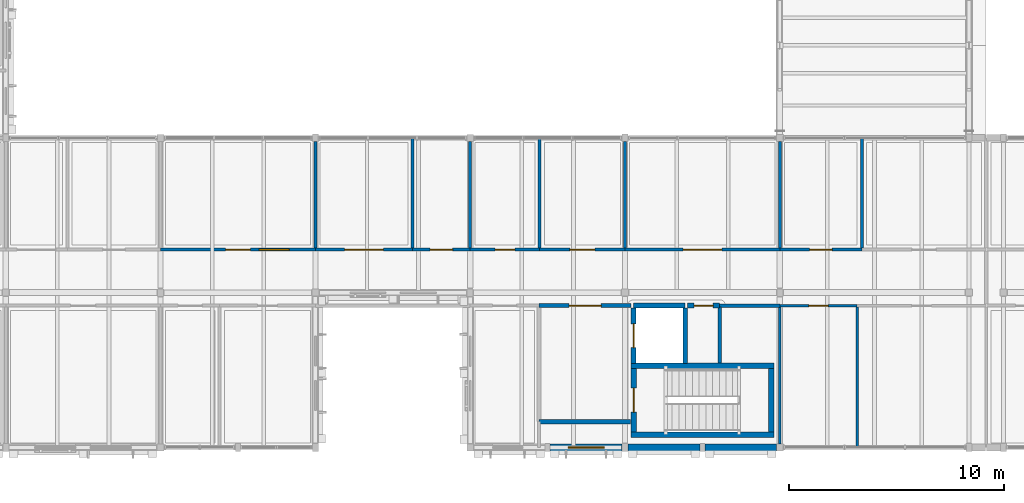
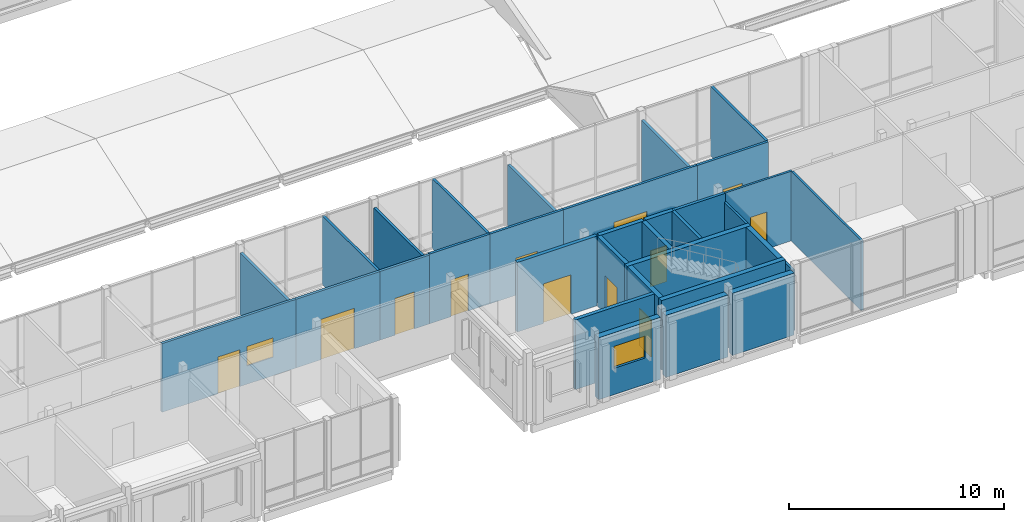
# One storey, part 84 of 115: 32 walls, 12 doors, 2 windows, 14 openings.
"""IFC4 building model written with IfcOpenShell, lengths in metres."""

from ifc_helpers import new_model, si_unit, direction, frame, frame_2d, origin, place, context, subcontext, project, spatial, rectangle, extrude, material, layer, layer_set, type_object, element, fill, save


model = new_model("IFC4")

# Units and contexts
model_context = context("Model", 3, precision=1e-05, world=origin(), true_north=direction((0.0, 1.0)))
body_context = subcontext(model_context, "Body", "Model", "MODEL_VIEW")
ifc_project = project(units=[si_unit("LENGTHUNIT", "METRE"), si_unit("AREAUNIT", "SQUARE_METRE"), si_unit("VOLUMEUNIT", "CUBIC_METRE"), si_unit("PLANEANGLEUNIT", "RADIAN"), si_unit("MASSUNIT", "GRAM", prefix="KILO")], contexts=[model_context])

# Site, building, storey
site_placement = place(None, origin())
site = spatial("IfcSite", under=ifc_project, at=site_placement, CompositionType="ELEMENT")
building_placement = place(site_placement, origin())
building = spatial("IfcBuilding", under=site, at=building_placement, Name="Hawrajan Terrace Health Centre", CompositionType="ELEMENT")
storey_placement = place(building_placement, frame((0.0, 0.0, 9.0)))
storey = spatial("IfcBuildingStorey", under=building, at=storey_placement, Name="L02", CompositionType="ELEMENT", Elevation=9.0)

# Wall, opening, window
ifc_material_1 = material(Name="Precast concrete C40/50", Category="concrete")
ifc_layer_1 = layer(ifc_material_1, 0.31005859375)
ifc_layer_set_1 = layer_set([ifc_layer_1], Name="Precast concrete C40/50")
wall_type_1 = type_object("IfcWallType", Name="ArtDecoFacadeWall_310", PredefinedType="SOLIDWALL", material=ifc_layer_set_1)
wall_1_placement = place(storey_placement, frame((51.52001953125, 4.199951171875, 0.0), z_axis=(0.0, 0.0, 1.0), x_axis=(1.0, 0.0, 0.0)))
wall_1 = element("IfcWall", 1, at=wall_1_placement, inside=storey, type_object=wall_type_1, Name="Exterior wall EW-L02-H06-00-2", PredefinedType="SOLIDWALL", context=body_context, shape_type="SweptSolid", body=[
    extrude(rectangle(XDim=3.340087890625, YDim=0.31005859375, at=frame_2d((1.669921875, 0.0))), origin(), (0.0, 0.0, 1.0), 3.530029296875),
])
opening_1_placement = place(wall_1_placement, frame((0.830078125, 0.0, 1.5)))
opening_1 = element("IfcOpeningElement", 2, at=opening_1_placement, cuts=wall_1, Name="Opening W-L02-146", PredefinedType="OPENING", context=body_context, shape_type="SweptSolid", body=[
    extrude(rectangle(XDim=1.679931640625, YDim=1.25, at=frame_2d((0.83984375, 0.625))), frame((0.0, 0.1650390625, 0.0), z_axis=(0.0, -1.0, 0.0), x_axis=(1.0, 0.0, 0.0)), (0.0, 0.0, 1.0), 0.330078125),
])
ifc_material_2 = material(Name="Anodized bronze frame with double low-E glazing", Category="glass")
window_type_1 = type_object("IfcWindowType", Name="FacadeWindow_1680x1250", PartitioningType="DOUBLE_PANEL_VERTICAL", PredefinedType="WINDOW", material=ifc_material_2)
window_1_placement = place(opening_1_placement, origin())
window_1 = element("IfcWindow", 3, at=window_1_placement, inside=storey, type_object=window_type_1, Name="Window W-L02-146", OverallHeight=1.25, OverallWidth=1.679931640625, PartitioningType="DOUBLE_PANEL_VERTICAL", PredefinedType="WINDOW", context=body_context, shape_type="SweptSolid", body=[
    extrude(rectangle(XDim=1.679931640625, YDim=1.25, at=frame_2d((0.83984375, 0.625))), frame((0.0, 0.030029296875, 0.0), z_axis=(0.0, -1.0, 0.0), x_axis=(1.0, 0.0, 0.0)), (0.0, 0.0, 1.0), 0.06005859375),
])
fill(opening_1, window_1)

# Walls
wall_2_placement = place(storey_placement, frame((55.139892578125, 4.199951171875, 0.0), z_axis=(0.0, 0.0, 1.0), x_axis=(1.0, 0.0, 0.0)))
element("IfcWall", 4, at=wall_2_placement, inside=storey, type_object=wall_type_1, Name="Exterior wall EW-L02-H07-00-1", PredefinedType="SOLIDWALL", context=body_context, shape_type="SweptSolid", body=[
    extrude(rectangle(XDim=3.340087890625, YDim=0.31005859375, at=frame_2d((1.669921875, 0.0))), origin(), (0.0, 0.0, 1.0), 3.530029296875),
])
wall_3_placement = place(storey_placement, frame((58.719970703125, 4.199951171875, 0.0), z_axis=(0.0, 0.0, 1.0), x_axis=(1.0, 0.0, 0.0)))
element("IfcWall", 5, at=wall_3_placement, inside=storey, type_object=wall_type_1, Name="Exterior wall EW-L02-H07-00-2", PredefinedType="SOLIDWALL", context=body_context, shape_type="SweptSolid", body=[
    extrude(rectangle(XDim=3.320068359375, YDim=0.31005859375, at=frame_2d((1.66015625, 0.0))), origin(), (0.0, 0.0, 1.0), 3.530029296875),
])

# Wall, openings, door, window
ifc_material_3 = material(Name="Gypsum board on acoustic stud framing")
ifc_layer_2 = layer(ifc_material_3, 0.139892578125)
ifc_layer_set_2 = layer_set([ifc_layer_2], Name="Gypsum board on acoustic stud framing")
wall_type_2 = type_object("IfcWallType", Name="ClinicalAcousticWall_140", PredefinedType="PARTITIONING", material=ifc_layer_set_2)
wall_4_placement = place(storey_placement, frame((33.39990234375, 13.39990234375, 0.0), z_axis=(0.0, 0.0, 1.0), x_axis=(1.0, 0.0, 0.0)))
wall_4 = element("IfcWall", 6, at=wall_4_placement, inside=storey, type_object=wall_type_2, Name="Interior wall IW-L02-1067", PredefinedType="PARTITIONING", context=body_context, shape_type="SweptSolid", body=[
    extrude(rectangle(XDim=7.2001953125, YDim=0.139892578125, at=frame_2d((3.60009765625, 0.0))), origin(), (0.0, 0.0, 1.0), 3.909912109375),
])
opening_2_placement = place(wall_4_placement, frame((3.02001953125, 0.0, 0.0)))
opening_2 = element("IfcOpeningElement", 7, at=opening_2_placement, cuts=wall_4, Name="Opening D-L02-542", PredefinedType="OPENING", context=body_context, shape_type="SweptSolid", body=[
    extrude(rectangle(XDim=1.159912109375, YDim=2.10009765625, at=frame_2d((0.580078125, 1.050048828125))), frame((0.0, 0.079833984375, 0.0), z_axis=(0.0, -1.0, 0.0), x_axis=(1.0, 0.0, 0.0)), (0.0, 0.0, 1.0), 0.159912109375),
])
opening_3_placement = place(wall_4_placement, frame((4.580078125, 0.0, 1.050048828125)))
opening_3 = element("IfcOpeningElement", 8, at=opening_3_placement, cuts=wall_4, Name="Opening W-L02-I08", PredefinedType="OPENING", context=body_context, shape_type="SweptSolid", body=[
    extrude(rectangle(XDim=1.39990234375, YDim=1.10009765625, at=frame_2d((0.699951171875, 0.550048828125))), frame((0.0, 0.079833984375, 0.0), z_axis=(0.0, -1.0, 0.0), x_axis=(1.0, 0.0, 0.0)), (0.0, 0.0, 1.0), 0.159912109375),
])
ifc_material_4 = material(Name="Hardwood acoustic clinical door leaf and frame", Category="wood")
door_type_1 = type_object("IfcDoorType", Name="ConsultDoor_1160x2100", OperationType="NOTDEFINED", PredefinedType="DOOR", material=ifc_material_4)
door_1_placement = place(opening_2_placement, origin())
door_1 = element("IfcDoor", 9, at=door_1_placement, inside=storey, type_object=door_type_1, Name="Interior door D-L02-542", OperationType="SINGLE_SWING_RIGHT", OverallHeight=2.10009765625, OverallWidth=1.159912109375, PredefinedType="DOOR", context=body_context, shape_type="SweptSolid", body=[
    extrude(rectangle(XDim=1.159912109375, YDim=2.10009765625, at=frame_2d((0.580078125, 1.050048828125))), frame((0.0, 0.02490234375, 0.0), z_axis=(0.0, -1.0, 0.0), x_axis=(1.0, 0.0, 0.0)), (0.0, 0.0, 1.0), 0.050048828125),
])
fill(opening_2, door_1)
ifc_material_5 = material(Name="Lead-lined and acoustic internal observation glazing", Category="glass")
window_type_2 = type_object("IfcWindowType", Name="InternalObsWindow_1400x1100", PartitioningType="SINGLE_PANEL", PredefinedType="WINDOW", material=ifc_material_5)
window_2_placement = place(opening_3_placement, origin())
window_2 = element("IfcWindow", 10, at=window_2_placement, inside=storey, type_object=window_type_2, Name="Observation window W-L02-I08", OverallHeight=1.10009765625, OverallWidth=1.39990234375, PartitioningType="SINGLE_PANEL", PredefinedType="WINDOW", context=body_context, shape_type="SweptSolid", body=[
    extrude(rectangle(XDim=1.39990234375, YDim=1.10009765625, at=frame_2d((0.699951171875, 0.550048828125))), frame((0.0, 0.030029296875, 0.0), z_axis=(0.0, -1.0, 0.0), x_axis=(1.0, 0.0, 0.0)), (0.0, 0.0, 1.0), 0.06005859375),
])
fill(opening_3, window_2)

# Wall
wall_5_placement = place(storey_placement, frame((40.60009765625, 13.469970703125, 0.0), z_axis=(0.0, 0.0, 1.0), x_axis=(0.0, 1.0, 0.0)))
element("IfcWall", 11, at=wall_5_placement, inside=storey, type_object=wall_type_2, Name="Interior wall IW-L02-1076", PredefinedType="PARTITIONING", context=body_context, shape_type="SweptSolid", body=[
    extrude(rectangle(XDim=4.949951171875, YDim=0.139892578125, at=frame_2d((2.47509765625, 0.0))), origin(), (0.0, 0.0, 1.0), 3.489990234375),
])

# Wall, opening, door
wall_6_placement = place(storey_placement, frame((40.60009765625, 13.39990234375, 0.0), z_axis=(0.0, 0.0, 1.0), x_axis=(1.0, 0.0, 0.0)))
wall_6 = element("IfcWall", 12, at=wall_6_placement, inside=storey, type_object=wall_type_2, Name="Interior wall IW-L02-1077", PredefinedType="PARTITIONING", context=body_context, shape_type="SweptSolid", body=[
    extrude(rectangle(XDim=4.52197265625, YDim=0.139892578125, at=frame_2d((2.260986328125, 0.0))), origin(), (0.0, 0.0, 1.0), 3.909912109375),
])
opening_4_placement = place(wall_6_placement, frame((1.361083984375, 0.0, 0.0)))
opening_4 = element("IfcOpeningElement", 13, at=opening_4_placement, cuts=wall_6, Name="Opening D-L02-543", PredefinedType="OPENING", context=body_context, shape_type="SweptSolid", body=[
    extrude(rectangle(XDim=1.800048828125, YDim=2.300048828125, at=frame_2d((0.89990234375, 1.14990234375))), frame((0.0, 0.079833984375, 0.0), z_axis=(0.0, -1.0, 0.0), x_axis=(1.0, 0.0, 0.0)), (0.0, 0.0, 1.0), 0.159912109375),
])
door_type_2 = type_object("IfcDoorType", Name="EducationHallDoor_1800x2300", OperationType="DOUBLE_DOOR_SINGLE_SWING", PredefinedType="DOOR", material=ifc_material_4)
door_2_placement = place(opening_4_placement, origin())
door_2 = element("IfcDoor", 14, at=door_2_placement, inside=storey, type_object=door_type_2, Name="Interior door D-L02-543", OperationType="DOUBLE_DOOR_SINGLE_SWING", OverallHeight=2.300048828125, OverallWidth=1.800048828125, PredefinedType="DOOR", context=body_context, shape_type="SweptSolid", body=[
    extrude(rectangle(XDim=1.800048828125, YDim=2.300048828125, at=frame_2d((0.89990234375, 1.14990234375))), frame((0.0, 0.02490234375, 0.0), z_axis=(0.0, -1.0, 0.0), x_axis=(1.0, 0.0, 0.0)), (0.0, 0.0, 1.0), 0.050048828125),
])
fill(opening_4, door_2)

# Wall
wall_7_placement = place(storey_placement, frame((45.1220703125, 13.469970703125, 0.0), z_axis=(0.0, 0.0, 1.0), x_axis=(0.0, 1.0, 0.0)))
element("IfcWall", 15, at=wall_7_placement, inside=storey, type_object=wall_type_2, Name="Interior wall IW-L02-1086", PredefinedType="PARTITIONING", context=body_context, shape_type="SweptSolid", body=[
    extrude(rectangle(XDim=5.130126953125, YDim=0.139892578125, at=frame_2d((2.56494140625, 0.0))), origin(), (0.0, 0.0, 1.0), 3.909912109375),
])

# Wall, opening, door
wall_8_placement = place(storey_placement, frame((45.1220703125, 13.39990234375, 0.0), z_axis=(0.0, 0.0, 1.0), x_axis=(1.0, 0.0, 0.0)))
wall_8 = element("IfcWall", 16, at=wall_8_placement, inside=storey, type_object=wall_type_2, Name="Interior wall IW-L02-1087", PredefinedType="PARTITIONING", context=body_context, shape_type="SweptSolid", body=[
    extrude(rectangle(XDim=2.677978515625, YDim=0.139892578125, at=frame_2d((1.3388671875, 0.0))), origin(), (0.0, 0.0, 1.0), 3.909912109375),
])
opening_5_placement = place(wall_8_placement, frame((0.819091796875, 0.0, 0.0)))
opening_5 = element("IfcOpeningElement", 17, at=opening_5_placement, cuts=wall_8, Name="Opening D-L02-544", PredefinedType="OPENING", context=body_context, shape_type="SweptSolid", body=[
    extrude(rectangle(XDim=1.0400390625, YDim=2.10009765625, at=frame_2d((0.52001953125, 1.050048828125))), frame((0.0, 0.079833984375, 0.0), z_axis=(0.0, -1.0, 0.0), x_axis=(1.0, 0.0, 0.0)), (0.0, 0.0, 1.0), 0.159912109375),
])
door_type_3 = type_object("IfcDoorType", Name="ConsultDoor_1040x2100", OperationType="NOTDEFINED", PredefinedType="DOOR", material=ifc_material_4)
door_3_placement = place(opening_5_placement, origin())
door_3 = element("IfcDoor", 18, at=door_3_placement, inside=storey, type_object=door_type_3, Name="Interior door D-L02-544", OperationType="SINGLE_SWING_RIGHT", OverallHeight=2.10009765625, OverallWidth=1.0400390625, PredefinedType="DOOR", context=body_context, shape_type="SweptSolid", body=[
    extrude(rectangle(XDim=1.0400390625, YDim=2.10009765625, at=frame_2d((0.52001953125, 1.050048828125))), frame((0.0, 0.02490234375, 0.0), z_axis=(0.0, -1.0, 0.0), x_axis=(1.0, 0.0, 0.0)), (0.0, 0.0, 1.0), 0.050048828125),
])
fill(opening_5, door_3)

# Wall
wall_9_placement = place(storey_placement, frame((47.800048828125, 13.469970703125, 0.0), z_axis=(0.0, 0.0, 1.0), x_axis=(0.0, 1.0, 0.0)))
element("IfcWall", 19, at=wall_9_placement, inside=storey, type_object=wall_type_2, Name="Interior wall IW-L02-1089", PredefinedType="PARTITIONING", context=body_context, shape_type="SweptSolid", body=[
    extrude(rectangle(XDim=4.969970703125, YDim=0.139892578125, at=frame_2d((2.48486328125, 0.0))), origin(), (0.0, 0.0, 1.0), 3.52001953125),
])

# Wall, opening, door
wall_10_placement = place(storey_placement, frame((47.800048828125, 13.39990234375, 0.0), z_axis=(0.0, 0.0, 1.0), x_axis=(1.0, 0.0, 0.0)))
wall_10 = element("IfcWall", 20, at=wall_10_placement, inside=storey, type_object=wall_type_2, Name="Interior wall IW-L02-1090", PredefinedType="PARTITIONING", context=body_context, shape_type="SweptSolid", body=[
    extrude(rectangle(XDim=3.23291015625, YDim=0.139892578125, at=frame_2d((1.616455078125, 0.0))), origin(), (0.0, 0.0, 1.0), 3.9599609375),
])
opening_6_placement = place(wall_10_placement, frame((1.156494140625, 0.0, 0.0)))
opening_6 = element("IfcOpeningElement", 21, at=opening_6_placement, cuts=wall_10, Name="Opening D-L02-506", PredefinedType="OPENING", context=body_context, shape_type="SweptSolid", body=[
    extrude(rectangle(XDim=0.919921875, YDim=2.10009765625, at=frame_2d((0.4599609375, 1.050048828125))), frame((0.0, 0.079833984375, 0.0), z_axis=(0.0, -1.0, 0.0), x_axis=(1.0, 0.0, 0.0)), (0.0, 0.0, 1.0), 0.159912109375),
])
door_type_4 = type_object("IfcDoorType", Name="StaffOfficeDoor_920x2100", OperationType="NOTDEFINED", PredefinedType="DOOR", material=ifc_material_4)
door_4_placement = place(opening_6_placement, origin())
door_4 = element("IfcDoor", 22, at=door_4_placement, inside=storey, type_object=door_type_4, Name="Interior door D-L02-506", OperationType="SINGLE_SWING_RIGHT", OverallHeight=2.10009765625, OverallWidth=0.919921875, PredefinedType="DOOR", context=body_context, shape_type="SweptSolid", body=[
    extrude(rectangle(XDim=0.919921875, YDim=2.10009765625, at=frame_2d((0.4599609375, 1.050048828125))), frame((0.0, 0.02490234375, 0.0), z_axis=(0.0, -1.0, 0.0), x_axis=(1.0, 0.0, 0.0)), (0.0, 0.0, 1.0), 0.050048828125),
])
fill(opening_6, door_4)

# Wall
wall_11_placement = place(storey_placement, frame((51.032958984375, 13.469970703125, 0.0), z_axis=(0.0, 0.0, 1.0), x_axis=(0.0, 1.0, 0.0)))
element("IfcWall", 23, at=wall_11_placement, inside=storey, type_object=wall_type_2, Name="Interior wall IW-L02-1096", PredefinedType="PARTITIONING", context=body_context, shape_type="SweptSolid", body=[
    extrude(rectangle(XDim=5.130126953125, YDim=0.139892578125, at=frame_2d((2.56494140625, 0.0))), origin(), (0.0, 0.0, 1.0), 3.9599609375),
])

# Wall, opening, door
wall_12_placement = place(storey_placement, frame((51.032958984375, 13.39990234375, 0.0), z_axis=(0.0, 0.0, 1.0), x_axis=(1.0, 0.0, 0.0)))
wall_12 = element("IfcWall", 24, at=wall_12_placement, inside=storey, type_object=wall_type_2, Name="Interior wall IW-L02-1097", PredefinedType="PARTITIONING", context=body_context, shape_type="SweptSolid", body=[
    extrude(rectangle(XDim=3.967041015625, YDim=0.139892578125, at=frame_2d((1.9833984375, 0.0))), origin(), (0.0, 0.0, 1.0), 3.9599609375),
])
opening_7_placement = place(wall_12_placement, frame((1.403564453125, 0.0, 0.0)))
opening_7 = element("IfcOpeningElement", 25, at=opening_7_placement, cuts=wall_12, Name="Opening D-L02-507", PredefinedType="OPENING", context=body_context, shape_type="SweptSolid", body=[
    extrude(rectangle(XDim=1.159912109375, YDim=2.10009765625, at=frame_2d((0.580078125, 1.050048828125))), frame((0.0, 0.079833984375, 0.0), z_axis=(0.0, -1.0, 0.0), x_axis=(1.0, 0.0, 0.0)), (0.0, 0.0, 1.0), 0.159912109375),
])
door_5_placement = place(opening_7_placement, origin())
door_5 = element("IfcDoor", 26, at=door_5_placement, inside=storey, type_object=door_type_1, Name="Interior door D-L02-507", OperationType="SINGLE_SWING_LEFT", OverallHeight=2.10009765625, OverallWidth=1.159912109375, PredefinedType="DOOR", context=body_context, shape_type="SweptSolid", body=[
    extrude(rectangle(XDim=1.159912109375, YDim=2.10009765625, at=frame_2d((0.580078125, 1.050048828125))), frame((0.0, 0.02490234375, 0.0), z_axis=(0.0, -1.0, 0.0), x_axis=(1.0, 0.0, 0.0)), (0.0, 0.0, 1.0), 0.050048828125),
])
fill(opening_7, door_5)

# Wall
wall_13_placement = place(storey_placement, frame((55.0, 13.469970703125, 0.0), z_axis=(0.0, 0.0, 1.0), x_axis=(0.0, 1.0, 0.0)))
element("IfcWall", 27, at=wall_13_placement, inside=storey, type_object=wall_type_2, Name="Interior wall IW-L02-1098", PredefinedType="PARTITIONING", context=body_context, shape_type="SweptSolid", body=[
    extrude(rectangle(XDim=4.949951171875, YDim=0.139892578125, at=frame_2d((2.47509765625, 0.0))), origin(), (0.0, 0.0, 1.0), 3.469970703125),
])

# Wall, opening, door
wall_14_placement = place(storey_placement, frame((55.0, 13.39990234375, 0.0), z_axis=(0.0, 0.0, 1.0), x_axis=(1.0, 0.0, 0.0)))
wall_14 = element("IfcWall", 28, at=wall_14_placement, inside=storey, type_object=wall_type_2, Name="Interior wall IW-L02-1099", PredefinedType="PARTITIONING", context=body_context, shape_type="SweptSolid", body=[
    extrude(rectangle(XDim=7.199951171875, YDim=0.139892578125, at=frame_2d((3.60009765625, 0.0))), origin(), (0.0, 0.0, 1.0), 3.9599609375),
])
opening_8_placement = place(wall_14_placement, frame((2.699951171875, 0.0, 0.0)))
opening_8 = element("IfcOpeningElement", 29, at=opening_8_placement, cuts=wall_14, Name="Opening D-L02-508", PredefinedType="OPENING", context=body_context, shape_type="SweptSolid", body=[
    extrude(rectangle(XDim=1.800048828125, YDim=2.300048828125, at=frame_2d((0.89990234375, 1.14990234375))), frame((0.0, 0.079833984375, 0.0), z_axis=(0.0, -1.0, 0.0), x_axis=(1.0, 0.0, 0.0)), (0.0, 0.0, 1.0), 0.159912109375),
])
door_6_placement = place(opening_8_placement, origin())
door_6 = element("IfcDoor", 30, at=door_6_placement, inside=storey, type_object=door_type_2, Name="Interior door D-L02-508", OperationType="DOUBLE_DOOR_SINGLE_SWING", OverallHeight=2.300048828125, OverallWidth=1.800048828125, PredefinedType="DOOR", context=body_context, shape_type="SweptSolid", body=[
    extrude(rectangle(XDim=1.800048828125, YDim=2.300048828125, at=frame_2d((0.89990234375, 1.14990234375))), frame((0.0, 0.02490234375, 0.0), z_axis=(0.0, -1.0, 0.0), x_axis=(1.0, 0.0, 0.0)), (0.0, 0.0, 1.0), 0.050048828125),
])
fill(opening_8, door_6)

# Wall
wall_15_placement = place(storey_placement, frame((62.199951171875, 13.469970703125, 0.0), z_axis=(0.0, 0.0, 1.0), x_axis=(0.0, 1.0, 0.0)))
element("IfcWall", 31, at=wall_15_placement, inside=storey, type_object=wall_type_2, Name="Interior wall IW-L02-1109", PredefinedType="PARTITIONING", context=body_context, shape_type="SweptSolid", body=[
    extrude(rectangle(XDim=4.969970703125, YDim=0.139892578125, at=frame_2d((2.48486328125, 0.0))), origin(), (0.0, 0.0, 1.0), 3.469970703125),
])

# Wall, opening, door
wall_16_placement = place(storey_placement, frame((62.199951171875, 13.39990234375, 0.0), z_axis=(0.0, 0.0, 1.0), x_axis=(1.0, 0.0, 0.0)))
wall_16 = element("IfcWall", 32, at=wall_16_placement, inside=storey, type_object=wall_type_2, Name="Interior wall IW-L02-1110", PredefinedType="PARTITIONING", context=body_context, shape_type="SweptSolid", body=[
    extrude(rectangle(XDim=3.819091796875, YDim=0.139892578125, at=frame_2d((1.90966796875, 0.0))), origin(), (0.0, 0.0, 1.0), 3.9599609375),
])
opening_9_placement = place(wall_16_placement, frame((1.389404296875, 0.0, 0.0)))
opening_9 = element("IfcOpeningElement", 33, at=opening_9_placement, cuts=wall_16, Name="Opening D-L02-509", PredefinedType="OPENING", context=body_context, shape_type="SweptSolid", body=[
    extrude(rectangle(XDim=1.0400390625, YDim=2.10009765625, at=frame_2d((0.52001953125, 1.050048828125))), frame((0.0, 0.079833984375, 0.0), z_axis=(0.0, -1.0, 0.0), x_axis=(1.0, 0.0, 0.0)), (0.0, 0.0, 1.0), 0.159912109375),
])
door_7_placement = place(opening_9_placement, origin())
door_7 = element("IfcDoor", 34, at=door_7_placement, inside=storey, type_object=door_type_3, Name="Interior door D-L02-509", OperationType="SINGLE_SWING_LEFT", OverallHeight=2.10009765625, OverallWidth=1.0400390625, PredefinedType="DOOR", context=body_context, shape_type="SweptSolid", body=[
    extrude(rectangle(XDim=1.0400390625, YDim=2.10009765625, at=frame_2d((0.52001953125, 1.050048828125))), frame((0.0, 0.02490234375, 0.0), z_axis=(0.0, -1.0, 0.0), x_axis=(1.0, 0.0, 0.0)), (0.0, 0.0, 1.0), 0.050048828125),
])
fill(opening_9, door_7)

# Walls
wall_17_placement = place(storey_placement, frame((66.01904296875, 13.469970703125, 0.0), z_axis=(0.0, 0.0, 1.0), x_axis=(0.0, 1.0, 0.0)))
element("IfcWall", 35, at=wall_17_placement, inside=storey, type_object=wall_type_2, Name="Interior wall IW-L02-1119", PredefinedType="PARTITIONING", context=body_context, shape_type="SweptSolid", body=[
    extrude(rectangle(XDim=5.130126953125, YDim=0.139892578125, at=frame_2d((2.56494140625, 0.0))), origin(), (0.0, 0.0, 1.0), 3.9599609375),
])
ifc_material_6 = material(Name="Concrete C40/50", Category="concrete")
ifc_layer_3 = layer(ifc_material_6, 0.260009765625)
ifc_layer_set_3 = layer_set([ifc_layer_3], Name="Concrete C40/50")
wall_type_3 = type_object("IfcWallType", Name="CoreShearWall_RC260", PredefinedType="SHEAR", material=ifc_layer_set_3)
for number, where, z_axis, x_axis, name in (
    (36, (55.27001953125, 4.800048828125, 0.0), (0.0, 0.0, 1.0), (1.0, 0.0, 0.0), "Core shear wall SW-C4-L02-S"),
    (37, (55.27001953125, 8.0, 0.0), (0.0, 0.0, 1.0), (1.0, 0.0, 0.0), "Core shear wall SW-C4-L02-N"),
):
    element("IfcWall", number, at=place(storey_placement, frame(where, z_axis=z_axis, x_axis=x_axis)), inside=storey, type_object=wall_type_3, Name=name, PredefinedType="SHEAR", context=body_context, shape_type="SweptSolid", body=[
        extrude(rectangle(XDim=6.659912109375, YDim=0.260009765625, at=frame_2d((3.330078125, 0.0))), origin(), (0.0, 0.0, 1.0), 3.949951171875),
    ])

# Wall, opening, door
wall_18_placement = place(storey_placement, frame((55.39990234375, 4.929931640625, 0.0), z_axis=(0.0, 0.0, 1.0), x_axis=(0.0, 1.0, 0.0)))
wall_18 = element("IfcWall", 38, at=wall_18_placement, inside=storey, type_object=wall_type_3, Name="Core shear wall SW-C4-L02-W", PredefinedType="SHEAR", context=body_context, shape_type="SweptSolid", body=[
    extrude(rectangle(XDim=2.940185546875, YDim=0.260009765625, at=frame_2d((1.47021484375, 0.0))), origin(), (0.0, 0.0, 1.0), 3.949951171875),
])
opening_10_placement = place(wall_18_placement, frame((0.909912109375, 0.0, 0.0)))
opening_10 = element("IfcOpeningElement", 39, at=opening_10_placement, cuts=wall_18, Name="Opening D-L02-434", PredefinedType="OPENING", context=body_context, shape_type="SweptSolid", body=[
    extrude(rectangle(XDim=1.1201171875, YDim=2.10009765625, at=frame_2d((0.56005859375, 1.050048828125))), frame((0.0, 0.139892578125, 0.0), z_axis=(0.0, -1.0, 0.0), x_axis=(1.0, 0.0, 0.0)), (0.0, 0.0, 1.0), 0.280029296875),
])
ifc_material_7 = material(Name="Timber-veneered acoustic fire-resisting door assembly", Category="wood")
door_type_5 = type_object("IfcDoorType", Name="CoreStairDoor_1120x2100", OperationType="NOTDEFINED", PredefinedType="DOOR", material=ifc_material_7)
door_8_placement = place(opening_10_placement, origin())
door_8 = element("IfcDoor", 40, at=door_8_placement, inside=storey, type_object=door_type_5, Name="Interior door D-L02-434", OperationType="SINGLE_SWING_RIGHT", OverallHeight=2.10009765625, OverallWidth=1.1201171875, PredefinedType="DOOR", context=body_context, shape_type="SweptSolid", body=[
    extrude(rectangle(XDim=1.1201171875, YDim=2.10009765625, at=frame_2d((0.56005859375, 1.050048828125))), frame((0.0, 0.02490234375, 0.0), z_axis=(0.0, -1.0, 0.0), x_axis=(1.0, 0.0, 0.0)), (0.0, 0.0, 1.0), 0.050048828125),
])
fill(opening_10, door_8)

# Walls
wall_19_placement = place(storey_placement, frame((61.800048828125, 4.929931640625, 0.0), z_axis=(0.0, 0.0, 1.0), x_axis=(0.0, 1.0, 0.0)))
element("IfcWall", 41, at=wall_19_placement, inside=storey, type_object=wall_type_3, Name="Core shear wall SW-C4-L02-E", PredefinedType="SHEAR", context=body_context, shape_type="SweptSolid", body=[
    extrude(rectangle(XDim=2.940185546875, YDim=0.260009765625, at=frame_2d((1.47021484375, 0.0))), origin(), (0.0, 0.0, 1.0), 3.949951171875),
])
ifc_layer_4 = layer(ifc_material_3, 0.159912109375)
ifc_layer_set_4 = layer_set([ifc_layer_4], Name="Gypsum board on acoustic stud framing")
wall_type_4 = type_object("IfcWallType", Name="CorridorFireWall_160", PredefinedType="PARTITIONING", material=ifc_layer_set_4)
wall_20_placement = place(storey_placement, frame((59.39990234375, 8.139892578125, 0.0), z_axis=(0.0, 0.0, 1.0), x_axis=(0.0, 1.0, 0.0)))
element("IfcWall", 42, at=wall_20_placement, inside=storey, type_object=wall_type_4, Name="Interior wall IW-L02-1212", PredefinedType="PARTITIONING", context=body_context, shape_type="SweptSolid", body=[
    extrude(rectangle(XDim=2.590087890625, YDim=0.159912109375, at=frame_2d((1.294921875, 0.0))), origin(), (0.0, 0.0, 1.0), 3.9599609375),
])
wall_21_placement = place(storey_placement, frame((59.39990234375, 10.800048828125, 0.0), z_axis=(0.0, 0.0, 1.0), x_axis=(1.0, 0.0, 0.0)))
element("IfcWall", 43, at=wall_21_placement, inside=storey, type_object=wall_type_4, Name="Interior wall IW-L02-1228", PredefinedType="PARTITIONING", context=body_context, shape_type="SweptSolid", body=[
    extrude(rectangle(XDim=2.800048828125, YDim=0.159912109375, at=frame_2d((1.39990234375, 0.0))), origin(), (0.0, 0.0, 1.0), 3.9599609375),
])

# Wall, opening, door
ifc_material_8 = material(Name="Cross-laminated timber CLT C24", Category="wood")
ifc_layer_5 = layer(ifc_material_8, 0.199951171875)
ifc_layer_set_5 = layer_set([ifc_layer_5], Name="Cross-laminated timber CLT C24")
wall_type_5 = type_object("IfcWallType", Name="FireCompartmentWall_200", PredefinedType="PARTITIONING", material=ifc_layer_set_5)
wall_22_placement = place(storey_placement, frame((51.0, 10.800048828125, 0.0), z_axis=(0.0, 0.0, 1.0), x_axis=(1.0, 0.0, 0.0)))
wall_22 = element("IfcWall", 44, at=wall_22_placement, inside=storey, type_object=wall_type_5, Name="Interior wall IW-L02-1095", PredefinedType="PARTITIONING", context=body_context, shape_type="SweptSolid", body=[
    extrude(rectangle(XDim=4.2900390625, YDim=0.199951171875, at=frame_2d((2.14501953125, 0.0))), origin(), (0.0, 0.0, 1.0), 3.9599609375),
])
opening_11_placement = place(wall_22_placement, frame((1.405029296875, 0.0, 0.0)))
opening_11 = element("IfcOpeningElement", 45, at=opening_11_placement, cuts=wall_22, Name="Opening D-L02-441", PredefinedType="OPENING", context=body_context, shape_type="SweptSolid", body=[
    extrude(rectangle(XDim=1.47998046875, YDim=2.25, at=frame_2d((0.739990234375, 1.125))), frame((0.0, 0.10986328125, 0.0), z_axis=(0.0, -1.0, 0.0), x_axis=(1.0, 0.0, 0.0)), (0.0, 0.0, 1.0), 0.219970703125),
])
door_type_6 = type_object("IfcDoorType", Name="FFLobbyDoor_1480x2250", OperationType="DOUBLE_DOOR_SINGLE_SWING", PredefinedType="DOOR", material=ifc_material_7)
door_9_placement = place(opening_11_placement, origin())
door_9 = element("IfcDoor", 46, at=door_9_placement, inside=storey, type_object=door_type_6, Name="Interior door D-L02-441", OperationType="DOUBLE_DOOR_SINGLE_SWING", OverallHeight=2.25, OverallWidth=1.47998046875, PredefinedType="DOOR", context=body_context, shape_type="SweptSolid", body=[
    extrude(rectangle(XDim=1.47998046875, YDim=2.25, at=frame_2d((0.739990234375, 1.125))), frame((0.0, 0.02490234375, 0.0), z_axis=(0.0, -1.0, 0.0), x_axis=(1.0, 0.0, 0.0)), (0.0, 0.0, 1.0), 0.050048828125),
])
fill(opening_11, door_9)

# Walls
wall_23_placement = place(storey_placement, frame((51.0, 5.39990234375, 0.0), z_axis=(0.0, 0.0, 1.0), x_axis=(1.0, 0.0, 0.0)))
element("IfcWall", 47, at=wall_23_placement, inside=storey, type_object=wall_type_5, Name="Interior wall IW-L02-1216", PredefinedType="PARTITIONING", context=body_context, shape_type="SweptSolid", body=[
    extrude(rectangle(XDim=4.260009765625, YDim=0.199951171875, at=frame_2d((2.1298828125, 0.0))), origin(), (0.0, 0.0, 1.0), 3.9599609375),
])
ifc_layer_6 = layer(ifc_material_6, 0.219970703125)
ifc_layer_set_6 = layer_set([ifc_layer_6], Name="Concrete C40/50")
wall_type_6 = type_object("IfcWallType", Name="ShaftWall_RC220", PredefinedType="SOLIDWALL", material=ifc_layer_set_6)
wall_24_placement = place(storey_placement, frame((55.39990234375, 10.800048828125, 0.0), z_axis=(0.0, 0.0, 1.0), x_axis=(1.0, 0.0, 0.0)))
element("IfcWall", 48, at=wall_24_placement, inside=storey, type_object=wall_type_6, Name="Lift shaft wall LW-LC-05-L02-N", PredefinedType="SOLIDWALL", context=body_context, shape_type="SweptSolid", body=[
    extrude(rectangle(XDim=2.400146484375, YDim=0.219970703125, at=frame_2d((1.2001953125, 0.0))), origin(), (0.0, 0.0, 1.0), 3.949951171875),
])

# Wall, opening, door
wall_25_placement = place(storey_placement, frame((55.39990234375, 8.110107421875, 0.0), z_axis=(0.0, 0.0, 1.0), x_axis=(0.0, 1.0, 0.0)))
wall_25 = element("IfcWall", 49, at=wall_25_placement, inside=storey, type_object=wall_type_6, Name="Lift shaft wall LW-LC-05-L02-W", PredefinedType="SOLIDWALL", context=body_context, shape_type="SweptSolid", body=[
    extrude(rectangle(XDim=2.579833984375, YDim=0.219970703125, at=frame_2d((1.2900390625, 0.0))), origin(), (0.0, 0.0, 1.0), 3.949951171875),
])
opening_12_placement = place(wall_25_placement, frame((0.739990234375, 0.0, 0.0)))
opening_12 = element("IfcOpeningElement", 50, at=opening_12_placement, cuts=wall_25, Name="Opening LD-L02-LC-05", PredefinedType="OPENING", context=body_context, shape_type="SweptSolid", body=[
    extrude(rectangle(XDim=1.10009765625, YDim=2.14990234375, at=frame_2d((0.550048828125, 1.074951171875))), frame((0.0, 0.119873046875, 0.0), z_axis=(0.0, -1.0, 0.0), x_axis=(1.0, 0.0, 0.0)), (0.0, 0.0, 1.0), 0.239990234375),
])
ifc_material_9 = material(Name="Brushed bronze stainless-steel sliding lift landing door", Category="steel")
door_type_7 = type_object("IfcDoorType", Name="LiftLandingDoor_1100x2150", OperationType="SLIDING_TO_LEFT", PredefinedType="DOOR", material=ifc_material_9)
door_10_placement = place(opening_12_placement, origin())
door_10 = element("IfcDoor", 51, at=door_10_placement, inside=storey, type_object=door_type_7, Name="Lift landing door LD-L02-LC-05", OperationType="SLIDING_TO_LEFT", OverallHeight=2.14990234375, OverallWidth=1.10009765625, PredefinedType="DOOR", context=body_context, shape_type="SweptSolid", body=[
    extrude(rectangle(XDim=1.10009765625, YDim=2.14990234375, at=frame_2d((0.550048828125, 1.074951171875))), frame((0.0, 0.02490234375, 0.0), z_axis=(0.0, -1.0, 0.0), x_axis=(1.0, 0.0, 0.0)), (0.0, 0.0, 1.0), 0.050048828125),
])
fill(opening_12, door_10)

# Wall
wall_26_placement = place(storey_placement, frame((57.800048828125, 8.110107421875, 0.0), z_axis=(0.0, 0.0, 1.0), x_axis=(0.0, 1.0, 0.0)))
element("IfcWall", 52, at=wall_26_placement, inside=storey, type_object=wall_type_6, Name="Lift shaft wall LW-LC-05-L02-E", PredefinedType="SOLIDWALL", context=body_context, shape_type="SweptSolid", body=[
    extrude(rectangle(XDim=2.579833984375, YDim=0.219970703125, at=frame_2d((1.2900390625, 0.0))), origin(), (0.0, 0.0, 1.0), 3.949951171875),
])

# Wall, opening, door
wall_27_placement = place(storey_placement, frame((57.909912109375, 10.800048828125, 0.0), z_axis=(0.0, 0.0, 1.0), x_axis=(1.0, 0.0, 0.0)))
wall_27 = element("IfcWall", 53, at=wall_27_placement, inside=storey, type_object=wall_type_6, Name="Interior wall IW-L02-1105", PredefinedType="SOLIDWALL", context=body_context, shape_type="SweptSolid", body=[
    extrude(rectangle(XDim=1.489990234375, YDim=0.219970703125, at=frame_2d((0.7451171875, 0.0))), origin(), (0.0, 0.0, 1.0), 3.9599609375),
])
opening_13_placement = place(wall_27_placement, frame((0.304931640625, 0.0, 0.0)))
opening_13 = element("IfcOpeningElement", 54, at=opening_13_placement, cuts=wall_27, Name="Opening D-L02-462", PredefinedType="OPENING", context=body_context, shape_type="SweptSolid", body=[
    extrude(rectangle(XDim=0.8798828125, YDim=2.050048828125, at=frame_2d((0.43994140625, 1.02490234375))), frame((0.0, 0.119873046875, 0.0), z_axis=(0.0, -1.0, 0.0), x_axis=(1.0, 0.0, 0.0)), (0.0, 0.0, 1.0), 0.239990234375),
])
door_type_8 = type_object("IfcDoorType", Name="RiserAccessDoor_880x2050", OperationType="NOTDEFINED", PredefinedType="DOOR", material=ifc_material_7)
door_11_placement = place(opening_13_placement, origin())
door_11 = element("IfcDoor", 55, at=door_11_placement, inside=storey, type_object=door_type_8, Name="Service riser access door D-L02-462", OperationType="SINGLE_SWING_RIGHT", OverallHeight=2.050048828125, OverallWidth=0.8798828125, PredefinedType="DOOR", context=body_context, shape_type="SweptSolid", body=[
    extrude(rectangle(XDim=0.8798828125, YDim=2.050048828125, at=frame_2d((0.43994140625, 1.02490234375))), frame((0.0, 0.02490234375, 0.0), z_axis=(0.0, -1.0, 0.0), x_axis=(1.0, 0.0, 0.0)), (0.0, 0.0, 1.0), 0.050048828125),
])
fill(opening_13, door_11)

ifc_material_10 = material(Name="Moisture-resistant board on stud framing")
ifc_layer_7 = layer(ifc_material_10, 0.1201171875)
ifc_layer_set_7 = layer_set([ifc_layer_7], Name="Moisture-resistant board on stud framing")
wall_type_7 = type_object("IfcWallType", Name="WetRoomPartition_120", PredefinedType="PLUMBINGWALL", material=ifc_layer_set_7)
wall_28_placement = place(storey_placement, frame((62.199951171875, 10.800048828125, 0.0), z_axis=(0.0, 0.0, 1.0), x_axis=(1.0, 0.0, 0.0)))
wall_28 = element("IfcWall", 56, at=wall_28_placement, inside=storey, type_object=wall_type_7, Name="Interior wall IW-L02-1108", PredefinedType="PLUMBINGWALL", context=body_context, shape_type="SweptSolid", body=[
    extrude(rectangle(XDim=3.60009765625, YDim=0.1201171875, at=frame_2d((1.800048828125, 0.0))), origin(), (0.0, 0.0, 1.0), 3.9599609375),
])
opening_14_placement = place(wall_28_placement, frame((1.35009765625, 0.0, 0.0)))
opening_14 = element("IfcOpeningElement", 57, at=opening_14_placement, cuts=wall_28, Name="Opening D-L02-465", PredefinedType="OPENING", context=body_context, shape_type="SweptSolid", body=[
    extrude(rectangle(XDim=0.89990234375, YDim=2.10009765625, at=frame_2d((0.449951171875, 1.050048828125))), frame((0.0, 0.070068359375, 0.0), z_axis=(0.0, -1.0, 0.0), x_axis=(1.0, 0.0, 0.0)), (0.0, 0.0, 1.0), 0.14013671875),
])
door_type_9 = type_object("IfcDoorType", Name="PatientWCDoor_900x2100", OperationType="NOTDEFINED", PredefinedType="DOOR", material=ifc_material_4)
door_12_placement = place(opening_14_placement, origin())
door_12 = element("IfcDoor", 58, at=door_12_placement, inside=storey, type_object=door_type_9, Name="Interior door D-L02-465", OperationType="SINGLE_SWING_LEFT", OverallHeight=2.10009765625, OverallWidth=0.89990234375, PredefinedType="DOOR", context=body_context, shape_type="SweptSolid", body=[
    extrude(rectangle(XDim=0.89990234375, YDim=2.10009765625, at=frame_2d((0.449951171875, 1.050048828125))), frame((0.0, 0.02490234375, 0.0), z_axis=(0.0, -1.0, 0.0), x_axis=(1.0, 0.0, 0.0)), (0.0, 0.0, 1.0), 0.050048828125),
])
fill(opening_14, door_12)

# Walls
wall_29_placement = place(storey_placement, frame((65.800048828125, 4.199951171875, 0.0), z_axis=(0.0, 0.0, 1.0), x_axis=(0.0, 1.0, 0.0)))
element("IfcWall", 59, at=wall_29_placement, inside=storey, type_object=wall_type_7, Name="Interior wall IW-L02-1117", PredefinedType="PLUMBINGWALL", context=body_context, shape_type="SweptSolid", body=[
    extrude(rectangle(XDim=6.530029296875, YDim=0.1201171875, at=frame_2d((3.26513671875, 0.0))), origin(), (0.0, 0.0, 1.0), 3.9599609375),
])
wall_30_placement = place(storey_placement, frame((62.199951171875, 4.360107421875, 0.0), z_axis=(0.0, 0.0, 1.0), x_axis=(0.0, 1.0, 0.0)))
element("IfcWall", 60, at=wall_30_placement, inside=storey, type_object=wall_type_7, Name="Interior wall IW-L02-1250", PredefinedType="PLUMBINGWALL", context=body_context, shape_type="SweptSolid", body=[
    extrude(rectangle(XDim=6.369873046875, YDim=0.1201171875, at=frame_2d((3.18505859375, 0.0))), origin(), (0.0, 0.0, 1.0), 3.469970703125),
])

save(model, "model.ifc")
